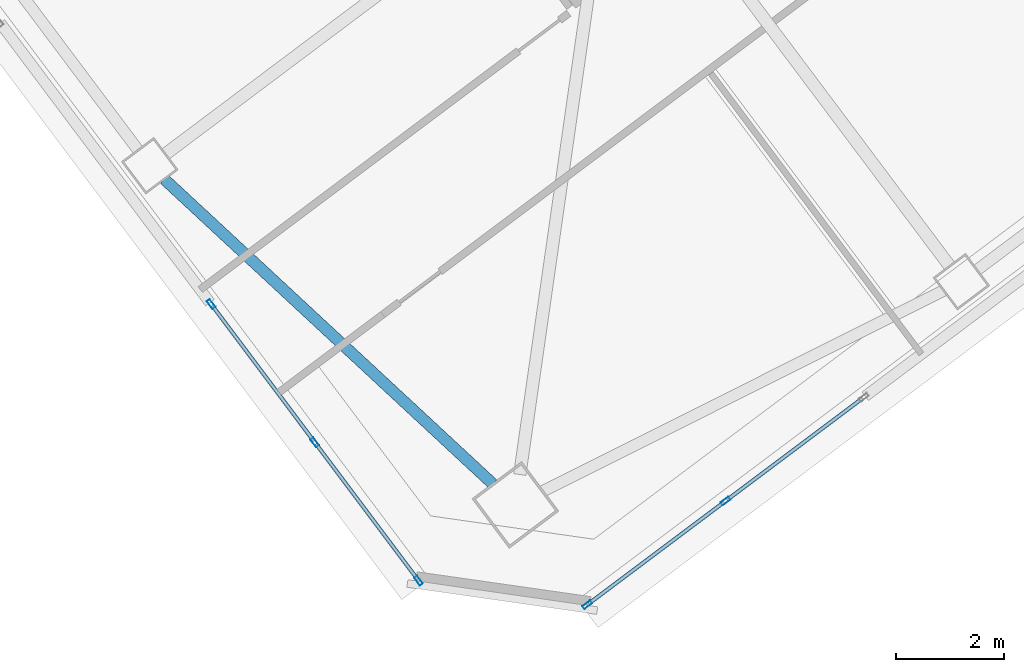
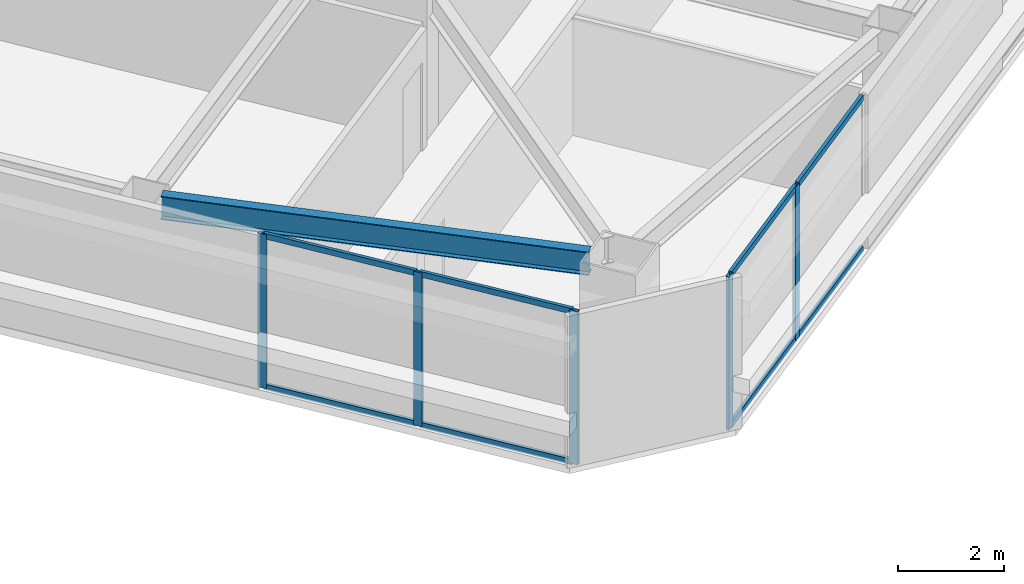
# One storey, part 18 of 43: 13 members, 1 beam, 2 elements without a shape of their own.
"""IFC4 building model written with IfcOpenShell, lengths in metres."""

import ifcopenshell
import ifcopenshell.guid

model = None  # the IFC model being written
_history = None  # IfcOwnerHistory: only IFC2X3 demands one
_inside = {}  # id of a spatial element -> (the spatial element, [elements in it])
_under = {}  # id of a project, library or spatial element -> (it, [spatial elements below it])
_declared = {}  # id of a project -> (the project, [libraries it declares])
_typed = {}  # id of a type object -> (the type object, [elements of that type])
_made_of = {}  # id of a material, layer set ... -> (it, [elements and type objects made of it])


def new_model(schema):
    """Start an empty IFC model of exactly this schema.

    Asked for "IFC4X3", IfcOpenShell would pick the latest addendum, in which some entities
    have other attributes; the version numbers below select the first issue.
    IFC2X3 requires an IfcOwnerHistory on every rooted entity: one is made here for all.
    """
    global model, _history
    if schema == "IFC4X3":
        model = ifcopenshell.file(schema_version=(4, 3, 0, 0))
    else:
        model = ifcopenshell.file(schema=schema)
    _inside.clear()
    _under.clear()
    _declared.clear()
    _typed.clear()
    _made_of.clear()
    _history = None
    if model.schema == "IFC2X3":
        org = make("IfcOrganization", Name="unknown")
        user = make(
            "IfcPersonAndOrganization",
            ThePerson=make("IfcPerson", FamilyName="unknown"),
            TheOrganization=org,
        )
        app = make(
            "IfcApplication",
            ApplicationDeveloper=org,
            Version="unknown",
            ApplicationFullName="unknown",
            ApplicationIdentifier="unknown",
        )
        _history = make(
            "IfcOwnerHistory",
            OwningUser=user,
            OwningApplication=app,
            ChangeAction="ADDED",
            CreationDate=0,
        )
    return model


def make(cls, **values):
    """One entity of the class cls with the attributes given. An attribute that is None is left unset."""
    return model.create_entity(
        cls, **{name: value for name, value in values.items() if value is not None}
    )


def rooted(cls, **values):
    """An entity with a GlobalId (a new one), such as an element, a storey or a relation."""
    return make(cls, GlobalId=ifcopenshell.guid.new(), OwnerHistory=_history, **values)


def si_unit(unit_type, name, prefix=None):
    """IfcSIUnit, for example si_unit("LENGTHUNIT", "METRE", prefix="MILLI")."""
    return make("IfcSIUnit", UnitType=unit_type, Prefix=prefix, Name=name)


def assignment(units):
    """IfcUnitAssignment: the units of a project."""
    return None if units is None else make("IfcUnitAssignment", Units=units)


def point(xyz):
    """IfcCartesianPoint."""
    return None if xyz is None else make("IfcCartesianPoint", Coordinates=xyz)


def direction(xyz):
    """IfcDirection."""
    return None if xyz is None else make("IfcDirection", DirectionRatios=xyz)


def frame(location, z_axis=None, x_axis=None):
    """IfcAxis2Placement3D, a coordinate frame: its origin and axes. An axis left out is left unset."""
    return make(
        "IfcAxis2Placement3D",
        Location=point(location),
        Axis=direction(z_axis),
        RefDirection=direction(x_axis),
    )


def frame_2d(location, x_axis=None):
    """IfcAxis2Placement2D, a coordinate frame in the plane: its origin and x axis."""
    return make(
        "IfcAxis2Placement2D", Location=point(location), RefDirection=direction(x_axis)
    )


def origin():
    """The frame at (0, 0, 0) with its axes left unset."""
    return frame((0.0, 0.0, 0.0))


def origin_2d():
    """The frame at (0, 0) in the plane with its x axis left unset."""
    return frame_2d((0.0, 0.0))


def place(relative_to, where):
    """IfcLocalPlacement: puts the frame where relative to a parent placement (None: the world)."""
    return make(
        "IfcLocalPlacement", PlacementRelTo=relative_to, RelativePlacement=where
    )


def context(
    kind, dimensions, precision=None, world=None, true_north=None, identifier=None
):
    """IfcGeometricRepresentationContext, for example the 3D "Model" context."""
    return make(
        "IfcGeometricRepresentationContext",
        ContextIdentifier=identifier,
        ContextType=kind,
        CoordinateSpaceDimension=dimensions,
        Precision=precision,
        WorldCoordinateSystem=world,
        TrueNorth=true_north,
    )


def subcontext(parent, identifier, kind, view, scale=None):
    """IfcGeometricRepresentationSubContext, for example "Body" below "Model"."""
    return make(
        "IfcGeometricRepresentationSubContext",
        ContextIdentifier=identifier,
        ContextType=kind,
        ParentContext=parent,
        TargetScale=scale,
        TargetView=view,
    )


def project(units=None, contexts=None):
    """IfcProject with its units and contexts."""
    return rooted(
        "IfcProject",
        Name="project",
        RepresentationContexts=contexts,
        UnitsInContext=assignment(units),
    )


def spatial(cls, under=None, at=None, **own):
    """A site, building, storey or space (cls), placed at a placement, below another one or the project."""
    s = rooted(cls, ObjectPlacement=at, **own)
    if under is not None:
        _under.setdefault(under.id(), (under, []))[1].append(s)
    return s


def profile(cls, at=None, kind="AREA", **sizes):
    """A parametric profile (cls). Its sizes go by their IFC names, for example OverallWidth=200.0."""
    return make(cls, ProfileType=kind, Position=at, **sizes)


def hollow_rectangle(**sizes):
    """IfcRectangleHollowProfileDef."""
    return profile("IfcRectangleHollowProfileDef", **sizes)


def i_section(**sizes):
    """IfcIShapeProfileDef."""
    return profile("IfcIShapeProfileDef", **sizes)


def extrude(swept, where, along, depth):
    """IfcExtrudedAreaSolid: the profile swept, set in the frame where, extruded along a direction by depth."""
    return make(
        "IfcExtrudedAreaSolid",
        SweptArea=swept,
        Position=where,
        ExtrudedDirection=direction(along),
        Depth=depth,
    )


def shape(context_of_items, identifier, shape_type, items):
    """IfcShapeRepresentation: the items that make up one representation, for example the "Body"."""
    return make(
        "IfcShapeRepresentation",
        ContextOfItems=context_of_items,
        RepresentationIdentifier=identifier,
        RepresentationType=shape_type,
        Items=items,
    )


def material(Name=None, Category=None):
    """IfcMaterial."""
    return make("IfcMaterial", Name=Name, Category=Category)


def material_profile(
    of_material, cross_section, Name=None, Category=None, Priority=None
):
    """IfcMaterialProfile: a cross section and its material."""
    return make(
        "IfcMaterialProfile",
        Name=Name,
        Material=of_material,
        Profile=cross_section,
        Priority=Priority,
        Category=Category,
    )


def profile_set(profiles, Name=None, composite=None):
    """IfcMaterialProfileSet."""
    return make(
        "IfcMaterialProfileSet",
        Name=Name,
        MaterialProfiles=profiles,
        CompositeProfile=composite,
    )


def made_of(thing, what):
    """Note that an element or type object is made of a material, layer set ...; save() writes the relation."""
    if what is not None:
        _made_of.setdefault(what.id(), (what, []))[1].append(thing)
    return thing


def type_object(cls, material=None, **own):
    """A type object (cls), such as IfcWallType, which elements share."""
    return made_of(rooted(cls, **own), material)


def element(
    cls,
    number,
    at=None,
    inside=None,
    cuts=None,
    type_object=None,
    material=None,
    context=None,
    identifier="Body",
    shape_type=None,
    held_by="IfcProductDefinitionShape",
    body=None,
    shapes=None,
    **own,
):
    """One element of the class cls, such as IfcWall. Its Tag is "e" and its number.

    at: its placement. inside: the storey or other place that contains it. cuts: it is an
    opening in that element (IfcRelVoidsElement). A single representation is given by context,
    identifier, shape_type and body (its items); several are given by shapes. held_by: the class
    of the entity that holds the representations. save() writes the other relations.
    """
    e = rooted(cls, Tag="e%d" % number, ObjectPlacement=at, **own)
    if body is not None:
        shapes = [shape(context, identifier, shape_type, body)]
    if shapes is not None:
        e.Representation = make(held_by, Representations=shapes)
    if inside is not None:
        _inside.setdefault(inside.id(), (inside, []))[1].append(e)
    if cuts is not None:
        rooted(
            "IfcRelVoidsElement", RelatingBuildingElement=cuts, RelatedOpeningElement=e
        )
    if type_object is not None:
        _typed.setdefault(type_object.id(), (type_object, []))[1].append(e)
    return made_of(e, material)


def aggregate(whole, parts):
    """IfcRelAggregates: a whole, such as a stair, and the parts it consists of."""
    return rooted("IfcRelAggregates", RelatingObject=whole, RelatedObjects=parts)


def save(model, path):
    """Write the relations noted so far, then the file.

    IfcRelAggregates (storeys below a building ...), IfcRelContainedInSpatialStructure (elements
    in a storey), IfcRelDefinesByType, IfcRelAssociatesMaterial and IfcRelDeclares: one each for
    every whole, place, type object, material and project.
    """
    for whole, parts in _under.values():
        aggregate(whole, parts)
    for where, things in _inside.values():
        rooted(
            "IfcRelContainedInSpatialStructure",
            RelatedElements=things,
            RelatingStructure=where,
        )
    for kind, things in _typed.values():
        rooted("IfcRelDefinesByType", RelatedObjects=things, RelatingType=kind)
    for what, things in _made_of.values():
        rooted("IfcRelAssociatesMaterial", RelatedObjects=things, RelatingMaterial=what)
    for by, libraries in _declared.values():
        rooted("IfcRelDeclares", RelatingContext=by, RelatedDefinitions=libraries)
    model.write(path)


model = new_model("IFC4")

# Units and contexts
model_context = context("Model", 3, precision=1e-05, world=origin(), true_north=direction((0.0, 1.0)))
body_context = subcontext(model_context, "Body", "Model", "MODEL_VIEW")
ifc_project = project(units=[si_unit("LENGTHUNIT", "METRE"), si_unit("AREAUNIT", "SQUARE_METRE"), si_unit("VOLUMEUNIT", "CUBIC_METRE"), si_unit("PLANEANGLEUNIT", "RADIAN"), si_unit("MASSUNIT", "GRAM", prefix="KILO")], contexts=[model_context])

# Site, building, storey
site_placement = place(None, origin())
site = spatial("IfcSite", under=ifc_project, at=site_placement, CompositionType="ELEMENT")
building_placement = place(site_placement, origin())
building = spatial("IfcBuilding", under=site, at=building_placement, Name="Tashvorn Skyway Center", CompositionType="ELEMENT")
storey_placement = place(building_placement, frame((0.0, 0.0, 185.39990234375)))
storey = spatial("IfcBuildingStorey", under=building, at=storey_placement, Name="L50", CompositionType="ELEMENT", Elevation=185.39990234375)

# Beam
ifc_material_1 = material(Name="Steel ASTM A992 Grade 50", Category="steel")
ifc_material_profile_1 = material_profile(ifc_material_1, i_section(OverallWidth=0.2109375, OverallDepth=0.5390625, WebThickness=0.01171875, FlangeThickness=0.018798828125, at=origin_2d()), Name="W21X73")
ifc_profile_set_1 = profile_set([ifc_material_profile_1], Name="Steel ASTM A992 Grade 50")
beam_type = type_object("IfcBeamType", Name="BM-SPANDREL-W21X73", PredefinedType="SPANDREL", material=ifc_profile_set_1)
beam_placement = place(storey_placement, frame((104.59130859375, 17.73828125, 3.1005859375), z_axis=(0.733101115618, -0.680119661736, 0.0), x_axis=(0.680119661736, 0.733101115618, 0.0)))
element("IfcBeam", 1, at=beam_placement, inside=storey, type_object=beam_type, Name="Tower 2 L50 Spandrel Beam 12", PredefinedType="SPANDREL", context=body_context, shape_type="SweptSolid", body=[
    extrude(i_section(OverallWidth=0.2109375, OverallDepth=0.5390625, WebThickness=0.01171875, FlangeThickness=0.018798828125, at=origin_2d()), origin(), (0.0, 0.0, 1.0), 8.308349609375),
])

# Curtain wall, members
ifc_material_2 = material(Name="Thermally broken bronze-anodized aluminium 6063-T6", Category="aluminium")
curtain_wall_type = type_object("IfcCurtainWallType", Name="CW-CW-Z4", PredefinedType="NOTDEFINED", material=ifc_material_2)
curtain_wall_1_placement = place(storey_placement, origin())
curtain_wall_1 = element("IfcCurtainWall", 2, at=curtain_wall_1_placement, inside=storey, type_object=curtain_wall_type, Name="Tower 2 L50 South Unitised Curtain Wall Glazing Group 3", PredefinedType="NOTDEFINED")
ifc_material_profile_2 = material_profile(ifc_material_2, hollow_rectangle(XDim=0.070068359375, YDim=0.179931640625, WallThickness=0.00390625, at=origin_2d()), Name="ALU-MULL-70x180")
ifc_profile_set_2 = profile_set([ifc_material_profile_2], Name="Thermally broken bronze-anodized aluminium 6063-T6")
member_type_1 = type_object("IfcMemberType", Name="CWM-CW-Z4", PredefinedType="MULLION", material=ifc_profile_set_2)
member_1_placement = place(storey_placement, frame((114.99609375, 11.77197265625, 0.0), z_axis=(0.0, 0.0, 1.0), x_axis=(0.600000000002, -0.799999999998, 0.0)))
member_1 = element("IfcMember", 3, at=member_1_placement, type_object=member_type_1, Name="CW-Z4 mullion 2", PredefinedType="MULLION", context=body_context, shape_type="SweptSolid", body=[
    extrude(hollow_rectangle(XDim=0.070068359375, YDim=0.179931640625, WallThickness=0.00390625, at=origin_2d()), origin(), (0.0, 0.0, 1.0), 3.550048828125),
])
member_2_placement = place(storey_placement, frame((112.431884765625, 9.84912109375, 0.0), z_axis=(0.0, 0.0, 1.0), x_axis=(0.600000000002, -0.799999999998, 0.0)))
member_2 = element("IfcMember", 4, at=member_2_placement, type_object=member_type_1, Name="CW-Z4 mullion 3", PredefinedType="MULLION", context=body_context, shape_type="SweptSolid", body=[
    extrude(hollow_rectangle(XDim=0.070068359375, YDim=0.179931640625, WallThickness=0.00390625, at=origin_2d()), origin(), (0.0, 0.0, 1.0), 3.550048828125),
])

curtain_wall_2_placement = place(storey_placement, origin())
curtain_wall_2 = element("IfcCurtainWall", 5, at=curtain_wall_2_placement, inside=storey, type_object=curtain_wall_type, Name="Tower 2 L50 West Unitised Curtain Wall Glazing Group 1", PredefinedType="NOTDEFINED")
member_3_placement = place(storey_placement, frame((109.302978515625, 10.2958984375, 0.0), z_axis=(0.0, 0.0, 1.0), x_axis=(-0.799999999998, -0.600000000002, 0.0)))
member_3 = element("IfcMember", 6, at=member_3_placement, type_object=member_type_1, Name="CW-Z4 mullion 1", PredefinedType="MULLION", context=body_context, shape_type="SweptSolid", body=[
    extrude(hollow_rectangle(XDim=0.070068359375, YDim=0.179931640625, WallThickness=0.00390625, at=origin_2d()), origin(), (0.0, 0.0, 1.0), 3.550048828125),
])
member_4_placement = place(storey_placement, frame((107.3798828125, 12.860107421875, 0.0), z_axis=(0.0, 0.0, 1.0), x_axis=(-0.799999999998, -0.600000000002, 0.0)))
member_4 = element("IfcMember", 7, at=member_4_placement, type_object=member_type_1, Name="CW-Z4 mullion 2", PredefinedType="MULLION", context=body_context, shape_type="SweptSolid", body=[
    extrude(hollow_rectangle(XDim=0.070068359375, YDim=0.179931640625, WallThickness=0.00390625, at=origin_2d()), origin(), (0.0, 0.0, 1.0), 3.550048828125),
])
member_5_placement = place(storey_placement, frame((105.45703125, 15.424072265625, 0.0), z_axis=(0.0, 0.0, 1.0), x_axis=(-0.799999999998, -0.600000000002, 0.0)))
member_5 = element("IfcMember", 8, at=member_5_placement, type_object=member_type_1, Name="CW-Z4 mullion 3", PredefinedType="MULLION", context=body_context, shape_type="SweptSolid", body=[
    extrude(hollow_rectangle(XDim=0.070068359375, YDim=0.179931640625, WallThickness=0.00390625, at=origin_2d()), origin(), (0.0, 0.0, 1.0), 3.550048828125),
])

# Member
ifc_material_profile_3 = material_profile(ifc_material_2, hollow_rectangle(XDim=0.070068359375, YDim=0.1298828125, WallThickness=0.00390625, at=origin_2d()), Name="ALU-TRAN-70x130")
ifc_profile_set_3 = profile_set([ifc_material_profile_3], Name="Thermally broken bronze-anodized aluminium 6063-T6")
member_type_2 = type_object("IfcMemberType", Name="CWT-CW-Z4", PredefinedType="USERDEFINED", material=ifc_profile_set_3)
member_6_placement = place(storey_placement, frame((117.531982421875, 13.674072265625, 0.03515625), z_axis=(-0.799990655127, -0.600012459628, 0.0), x_axis=(0.600012459628, -0.799990655127, 0.0)))
member_6 = element("IfcMember", 9, at=member_6_placement, type_object=member_type_2, Name="CW-Z4 transom 1.1", ObjectType="TRANSOM", PredefinedType="USERDEFINED", context=body_context, shape_type="SweptSolid", body=[
    extrude(hollow_rectangle(XDim=0.070068359375, YDim=0.1298828125, WallThickness=0.00390625, at=origin_2d()), origin(), (0.0, 0.0, 1.0), 3.135009765625),
])

member_7_placement = place(storey_placement, frame((117.531982421875, 13.674072265625, 3.51513671875), z_axis=(-0.799990655127, -0.600012459628, 0.0), x_axis=(0.600012459628, -0.799990655127, 0.0)))
member_7 = element("IfcMember", 10, at=member_7_placement, type_object=member_type_2, Name="CW-Z4 transom 1.2", ObjectType="TRANSOM", PredefinedType="USERDEFINED", context=body_context, shape_type="SweptSolid", body=[
    extrude(hollow_rectangle(XDim=0.070068359375, YDim=0.1298828125, WallThickness=0.00390625, at=origin_2d()), origin(), (0.0, 0.0, 1.0), 3.135009765625),
])

member_8_placement = place(storey_placement, frame((114.968017578125, 11.7509765625, 0.03515625), z_axis=(-0.800028034763, -0.599962618496, 0.0), x_axis=(0.599962618496, -0.800028034763, 0.0)))
member_8 = element("IfcMember", 11, at=member_8_placement, type_object=member_type_2, Name="CW-Z4 transom 2.1", ObjectType="TRANSOM", PredefinedType="USERDEFINED", context=body_context, shape_type="SweptSolid", body=[
    extrude(hollow_rectangle(XDim=0.070068359375, YDim=0.1298828125, WallThickness=0.00390625, at=origin_2d()), origin(), (0.0, 0.0, 1.0), 3.135009765625),
])

member_9_placement = place(storey_placement, frame((114.968017578125, 11.7509765625, 3.51513671875), z_axis=(-0.800028034763, -0.599962618496, 0.0), x_axis=(0.599962618496, -0.800028034763, 0.0)))
member_9 = element("IfcMember", 12, at=member_9_placement, type_object=member_type_2, Name="CW-Z4 transom 2.2", ObjectType="TRANSOM", PredefinedType="USERDEFINED", context=body_context, shape_type="SweptSolid", body=[
    extrude(hollow_rectangle(XDim=0.070068359375, YDim=0.1298828125, WallThickness=0.00390625, at=origin_2d()), origin(), (0.0, 0.0, 1.0), 3.135009765625),
])

aggregate(curtain_wall_1, [member_1, member_2, member_6, member_7, member_8, member_9])

member_10_placement = place(storey_placement, frame((109.281982421875, 10.323974609375, 0.03515625), z_axis=(-0.600012459628, 0.799990655127, 0.0), x_axis=(-0.799990655127, -0.600012459628, 0.0)))
member_10 = element("IfcMember", 13, at=member_10_placement, type_object=member_type_2, Name="CW-Z4 transom 1.1", ObjectType="TRANSOM", PredefinedType="USERDEFINED", context=body_context, shape_type="SweptSolid", body=[
    extrude(hollow_rectangle(XDim=0.070068359375, YDim=0.1298828125, WallThickness=0.00390625, at=origin_2d()), origin(), (0.0, 0.0, 1.0), 3.135009765625),
])

member_11_placement = place(storey_placement, frame((109.281982421875, 10.323974609375, 3.51513671875), z_axis=(-0.600012459628, 0.799990655127, 0.0), x_axis=(-0.799990655127, -0.600012459628, 0.0)))
member_11 = element("IfcMember", 14, at=member_11_placement, type_object=member_type_2, Name="CW-Z4 transom 1.2", ObjectType="TRANSOM", PredefinedType="USERDEFINED", context=body_context, shape_type="SweptSolid", body=[
    extrude(hollow_rectangle(XDim=0.070068359375, YDim=0.1298828125, WallThickness=0.00390625, at=origin_2d()), origin(), (0.0, 0.0, 1.0), 3.135009765625),
])

member_12_placement = place(storey_placement, frame((107.35888671875, 12.887939453125, 0.03515625), z_axis=(-0.599962618496, 0.800028034763, 0.0), x_axis=(-0.800028034763, -0.599962618496, 0.0)))
member_12 = element("IfcMember", 15, at=member_12_placement, type_object=member_type_2, Name="CW-Z4 transom 2.1", ObjectType="TRANSOM", PredefinedType="USERDEFINED", context=body_context, shape_type="SweptSolid", body=[
    extrude(hollow_rectangle(XDim=0.070068359375, YDim=0.1298828125, WallThickness=0.00390625, at=origin_2d()), origin(), (0.0, 0.0, 1.0), 3.135009765625),
])

member_13_placement = place(storey_placement, frame((107.35888671875, 12.887939453125, 3.51513671875), z_axis=(-0.599962618496, 0.800028034763, 0.0), x_axis=(-0.800028034763, -0.599962618496, 0.0)))
member_13 = element("IfcMember", 16, at=member_13_placement, type_object=member_type_2, Name="CW-Z4 transom 2.2", ObjectType="TRANSOM", PredefinedType="USERDEFINED", context=body_context, shape_type="SweptSolid", body=[
    extrude(hollow_rectangle(XDim=0.070068359375, YDim=0.1298828125, WallThickness=0.00390625, at=origin_2d()), origin(), (0.0, 0.0, 1.0), 3.135009765625),
])

aggregate(curtain_wall_2, [member_3, member_4, member_5, member_10, member_11, member_12, member_13])

save(model, "model.ifc")
